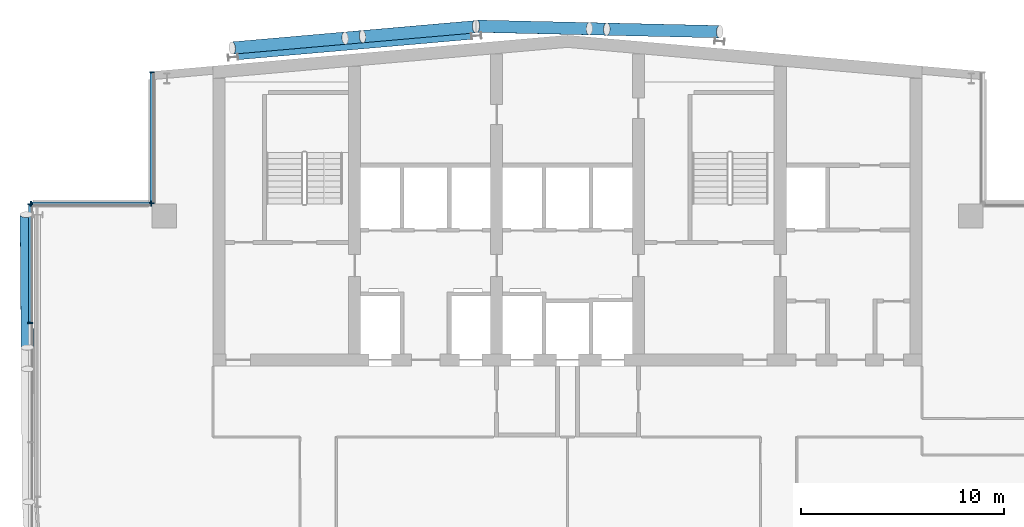
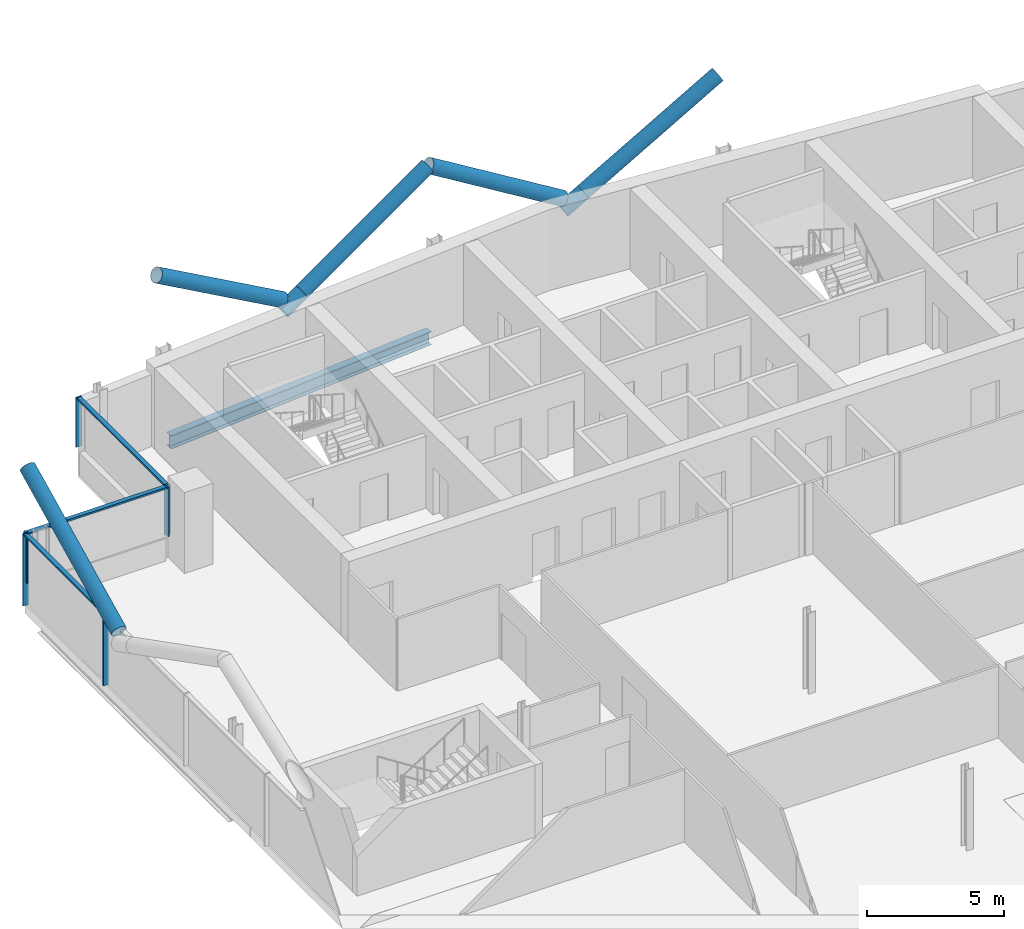
# One storey, part 10 of 28: 16 members, 1 beam, 3 elements without a shape of their own.
"""IFC4 building model written with IfcOpenShell, lengths in metres."""

from ifc_helpers import new_model, si_unit, direction, frame, origin, origin_2d, place, context, subcontext, project, spatial, rectangle, hollow_circle, i_section, extrude, material, material_profile, profile_set, type_object, element, aggregate, save


model = new_model("IFC4")

# Units and contexts
model_context = context("Model", 3, precision=1e-05, world=origin(), true_north=direction((0.0, 1.0)))
body_context = subcontext(model_context, "Body", "Model", "MODEL_VIEW")
ifc_project = project(units=[si_unit("LENGTHUNIT", "METRE"), si_unit("AREAUNIT", "SQUARE_METRE"), si_unit("VOLUMEUNIT", "CUBIC_METRE"), si_unit("PLANEANGLEUNIT", "RADIAN"), si_unit("MASSUNIT", "GRAM", prefix="KILO")], contexts=[model_context])

# Site, building, storey
site_placement = place(None, origin())
site = spatial("IfcSite", under=ifc_project, at=site_placement, CompositionType="ELEMENT")
building_placement = place(site_placement, origin())
building = spatial("IfcBuilding", under=site, at=building_placement, Name="Wharfspan Tower", CompositionType="ELEMENT")
storey_placement = place(building_placement, frame((0.0, 0.0, 253.899902)))
storey = spatial("IfcBuildingStorey", under=building, at=storey_placement, Name="L64", CompositionType="ELEMENT", Elevation=253.899902)

# Members
ifc_material_1 = material(Name="Steel S460NH", Category="steel")
ifc_material_profile_1 = material_profile(ifc_material_1, hollow_circle(Radius=0.304932, WallThickness=0.024902, at=origin_2d()))
ifc_profile_set_1 = profile_set([ifc_material_profile_1], Name="Steel S460NH")
member_type_1 = type_object("IfcMemberType", Name="Brace node tie CHS 610x25", PredefinedType="STRUT", material=ifc_profile_set_1)
member_1_placement = place(storey_placement, frame((29.536133, 50.172852, 2.645508), z_axis=(0.855099, 0.075009, 0.51301), x_axis=(-0.087385, 0.996178, 1e-06)))
element("IfcMember", 1, at=member_1_placement, inside=storey, type_object=member_type_1, Name="Brace node tie L64 N7", PredefinedType="STRUT", context=body_context, shape_type="SweptSolid", body=[
    extrude(hollow_circle(Radius=0.304932, WallThickness=0.024902, at=origin_2d()), origin(), (0.0, 0.0, 1.0), 0.992676),
])
member_2_placement = place(storey_placement, frame((41.586426, 50.63623, 2.645752), z_axis=(0.857308, -0.019501, 0.514434), x_axis=(0.022739, 0.999737, 3e-06)))
element("IfcMember", 2, at=member_2_placement, inside=storey, type_object=member_type_1, Name="Brace node tie L64 N8", PredefinedType="STRUT", context=body_context, shape_type="SweptSolid", body=[
    extrude(hollow_circle(Radius=0.304932, WallThickness=0.024902, at=origin_2d()), origin(), (0.0, 0.0, 1.0), 0.989014),
])

# Beam
ifc_material_2 = material(Name="Steel S355J2", Category="steel")
ifc_material_profile_2 = material_profile(ifc_material_2, i_section(OverallWidth=0.300049, OverallDepth=0.600098, WebThickness=0.015381, FlangeThickness=0.030029, FilletRadius=0.0271, at=origin_2d()))
ifc_profile_set_2 = profile_set([ifc_material_profile_2], Name="Steel S355J2")
beam_type = type_object("IfcBeamType", Name="Edge beam HEB 600", PredefinedType="SPANDREL", material=ifc_profile_set_2)
beam_placement = place(storey_placement, frame((35.754883, 50.263428, -0.699951), z_axis=(-0.996194, -0.087165, 0.0), x_axis=(0.087165, -0.996194, 0.0)))
element("IfcBeam", 3, at=beam_placement, inside=storey, type_object=beam_type, Name="Edge beam N1 L64 R.2 to R.1", PredefinedType="SPANDREL", context=body_context, shape_type="SweptSolid", body=[
    extrude(i_section(OverallWidth=0.300049, OverallDepth=0.600098, WebThickness=0.015381, FlangeThickness=0.030029, FilletRadius=0.0271, at=origin_2d()), origin(), (0.0, 0.0, 1.0), 11.553711),
])

# Curtain wall, members
ifc_material_3 = material(Name="Aluminium 6063-T6", Category="aluminium")
curtain_wall_type = type_object("IfcCurtainWallType", Name="CURTAIN WALL PROW AND END", PredefinedType="NOTDEFINED", material=ifc_material_3)
curtain_wall_1_placement = place(storey_placement, origin())
curtain_wall_1 = element("IfcCurtainWall", 4, at=curtain_wall_1_placement, inside=storey, type_object=curtain_wall_type, Name="Curtain wall NRW-V", PredefinedType="NOTDEFINED")
ifc_material_profile_3 = material_profile(ifc_material_3, rectangle(XDim=0.23999, YDim=0.060059, at=origin_2d()))
ifc_profile_set_3 = profile_set([ifc_material_profile_3], Name="Aluminium 6063-T6")
member_type_2 = type_object("IfcMemberType", Name="MULLION PROW AND END 60x240", PredefinedType="MULLION", material=ifc_profile_set_3)
member_3_placement = place(storey_placement, frame((20.0, 48.494873, 1.0), z_axis=(0.0, 0.0, 1.0), x_axis=(1.0, 0.0, 0.0)))
member_3 = element("IfcMember", 5, at=member_3_placement, type_object=member_type_2, Name="Curtain wall NRW-V mullion 1", PredefinedType="MULLION", context=body_context, shape_type="SweptSolid", body=[
    extrude(rectangle(XDim=0.23999, YDim=0.060059, at=origin_2d()), origin(), (0.0, 0.0, 1.0), 2.200195),
])
member_4_placement = place(storey_placement, frame((20.0, 42.030029, 1.0), z_axis=(0.0, 0.0, 1.0), x_axis=(1.0, 0.0, 0.0)))
member_4 = element("IfcMember", 6, at=member_4_placement, type_object=member_type_2, Name="Curtain wall NRW-V mullion 2", PredefinedType="MULLION", context=body_context, shape_type="SweptSolid", body=[
    extrude(rectangle(XDim=0.23999, YDim=0.060059, at=origin_2d()), origin(), (0.0, 0.0, 1.0), 2.200195),
])

curtain_wall_2_placement = place(storey_placement, origin())
curtain_wall_2 = element("IfcCurtainWall", 7, at=curtain_wall_2_placement, inside=storey, type_object=curtain_wall_type, Name="Curtain wall NRW-H", PredefinedType="NOTDEFINED")
member_5_placement = place(storey_placement, frame((19.969971, 42.0, 1.0), z_axis=(0.0, 0.0, 1.0), x_axis=(0.0, -1.0, 0.0)))
member_5 = element("IfcMember", 8, at=member_5_placement, type_object=member_type_2, Name="Curtain wall NRW-H mullion 1", PredefinedType="MULLION", context=body_context, shape_type="SweptSolid", body=[
    extrude(rectangle(XDim=0.23999, YDim=0.060059, at=origin_2d()), origin(), (0.0, 0.0, 1.0), 2.200195),
])
member_6_placement = place(storey_placement, frame((14.030029, 42.0, 1.0), z_axis=(0.0, 0.0, 1.0), x_axis=(0.0, -1.0, 0.0)))
member_6 = element("IfcMember", 9, at=member_6_placement, type_object=member_type_2, Name="Curtain wall NRW-H mullion 2", PredefinedType="MULLION", context=body_context, shape_type="SweptSolid", body=[
    extrude(rectangle(XDim=0.23999, YDim=0.060059, at=origin_2d()), origin(), (0.0, 0.0, 1.0), 2.200195),
])

curtain_wall_3_placement = place(storey_placement, origin())
curtain_wall_3 = element("IfcCurtainWall", 10, at=curtain_wall_3_placement, inside=storey, type_object=curtain_wall_type, Name="Curtain wall W", PredefinedType="NOTDEFINED")
member_7_placement = place(storey_placement, frame((14.0, 41.969971, 0.0), z_axis=(0.0, 0.0, 1.0), x_axis=(1.0, 0.0, 0.0)))
member_7 = element("IfcMember", 11, at=member_7_placement, type_object=member_type_2, Name="Curtain wall W mullion 1", PredefinedType="MULLION", context=body_context, shape_type="SweptSolid", body=[
    extrude(rectangle(XDim=0.23999, YDim=0.060059, at=origin_2d()), origin(), (0.0, 0.0, 1.0), 3.200195),
])
member_8_placement = place(storey_placement, frame((14.0, 36.120117, 0.0), z_axis=(0.0, 0.0, 1.0), x_axis=(1.0, 0.0, 0.0)))
member_8 = element("IfcMember", 12, at=member_8_placement, type_object=member_type_2, Name="Curtain wall W mullion 2", PredefinedType="MULLION", context=body_context, shape_type="SweptSolid", body=[
    extrude(rectangle(XDim=0.23999, YDim=0.060059, at=origin_2d()), origin(), (0.0, 0.0, 1.0), 3.200195),
])

# Members
ifc_material_profile_4 = material_profile(ifc_material_1, hollow_circle(Radius=0.304932, WallThickness=0.024902, at=origin_2d()))
ifc_profile_set_4 = profile_set([ifc_material_profile_4], Name="Steel S460NH")
member_type_3 = type_object("IfcMemberType", Name="Mega brace CHS 610x25", PredefinedType="BRACE", material=ifc_profile_set_4)
member_9_placement = place(storey_placement, frame((13.844727, 34.910645, 3.169922), z_axis=(-0.007044, 0.891361, 0.45324), x_axis=(-0.999973, -0.007904, 3e-06)))
element("IfcMember", 13, at=member_9_placement, inside=storey, type_object=member_type_3, Name="Mega brace W3 L64 part 4", PredefinedType="BRACE", context=body_context, shape_type="SweptSolid", body=[
    extrude(hollow_circle(Radius=0.304932, WallThickness=0.024902, at=origin_2d()), origin(), (0.0, 0.0, 1.0), 7.347168),
])
member_10_placement = place(storey_placement, frame((30.393555, 50.248047, 3.159912), z_axis=(0.855103, 0.074812, 0.513032), x_axis=(-0.087157, 0.996193, 2e-06)))
element("IfcMember", 14, at=member_10_placement, inside=storey, type_object=member_type_3, Name="Mega brace N7 L64 part 2", PredefinedType="BRACE", context=body_context, shape_type="SweptSolid", body=[
    extrude(hollow_circle(Radius=0.304932, WallThickness=0.024902, at=origin_2d()), origin(), (0.0, 0.0, 1.0), 6.510498),
])
member_11_placement = place(storey_placement, frame((29.527588, 50.172119, 3.159912), z_axis=(-0.855093, -0.074814, 0.513048), x_axis=(0.087159, -0.996198, -1e-06)))
element("IfcMember", 15, at=member_11_placement, inside=storey, type_object=member_type_3, Name="Mega brace N7 L64 part 4", PredefinedType="BRACE", context=body_context, shape_type="SweptSolid", body=[
    extrude(hollow_circle(Radius=0.304932, WallThickness=0.024902, at=origin_2d()), origin(), (0.0, 0.0, 1.0), 6.510254),
])
for number, where, z_axis, x_axis, name in (
    (16, (42.442871, 50.616699, 3.159668), (0.857337, -0.019475, 0.514387), (0.022711, 0.999741, -2e-06), "Mega brace N8 L64 part 2"),
    (17, (41.577881, 50.636475, 3.159668), (-0.857337, 0.019475, 0.514387), (-0.022711, -0.999741, -2e-06), "Mega brace N8 L64 part 4"),
):
    element("IfcMember", number, at=place(storey_placement, frame(where, z_axis=z_axis, x_axis=x_axis)), inside=storey, type_object=member_type_3, Name=name, PredefinedType="BRACE", context=body_context, shape_type="SweptSolid", body=[
        extrude(hollow_circle(Radius=0.304932, WallThickness=0.024902, at=origin_2d()), origin(), (0.0, 0.0, 1.0), 6.493896),
    ])

# Member
ifc_material_profile_5 = material_profile(ifc_material_3, rectangle(XDim=0.179932, YDim=0.080078, at=origin_2d()))
ifc_profile_set_5 = profile_set([ifc_material_profile_5], Name="Aluminium 6063-T6")
member_type_4 = type_object("IfcMemberType", Name="TRANSOM PROW AND END 80x180", PredefinedType="USERDEFINED", material=ifc_profile_set_5)
member_12_placement = place(storey_placement, frame((20.0, 48.464844, 3.160156), z_axis=(0.0, -1.0, 0.0), x_axis=(1.0, 0.0, 0.0)))
member_12 = element("IfcMember", 18, at=member_12_placement, type_object=member_type_4, Name="Curtain wall NRW-V transom 1", ObjectType="TRANSOM", PredefinedType="USERDEFINED", context=body_context, shape_type="SweptSolid", body=[
    extrude(rectangle(XDim=0.179932, YDim=0.080078, at=origin_2d()), origin(), (0.0, 0.0, 1.0), 6.404785),
])

aggregate(curtain_wall_1, [member_3, member_4, member_12])

member_13_placement = place(storey_placement, frame((19.939941, 42.0, 3.160156), z_axis=(-1.0, 0.0, 0.0), x_axis=(0.0, -1.0, 0.0)))
member_13 = element("IfcMember", 19, at=member_13_placement, type_object=member_type_4, Name="Curtain wall NRW-H transom 1", ObjectType="TRANSOM", PredefinedType="USERDEFINED", context=body_context, shape_type="SweptSolid", body=[
    extrude(rectangle(XDim=0.179932, YDim=0.080078, at=origin_2d()), origin(), (0.0, 0.0, 1.0), 5.879883),
])

aggregate(curtain_wall_2, [member_5, member_6, member_13])

member_14_placement = place(storey_placement, frame((14.0, 41.939941, 3.160156), z_axis=(0.0, -1.0, 0.0), x_axis=(1.0, 0.0, 0.0)))
member_14 = element("IfcMember", 20, at=member_14_placement, type_object=member_type_4, Name="Curtain wall W transom 1", ObjectType="TRANSOM", PredefinedType="USERDEFINED", context=body_context, shape_type="SweptSolid", body=[
    extrude(rectangle(XDim=0.179932, YDim=0.080078, at=origin_2d()), origin(), (0.0, 0.0, 1.0), 5.790039),
])

aggregate(curtain_wall_3, [member_7, member_8, member_14])

save(model, "model.ifc")
